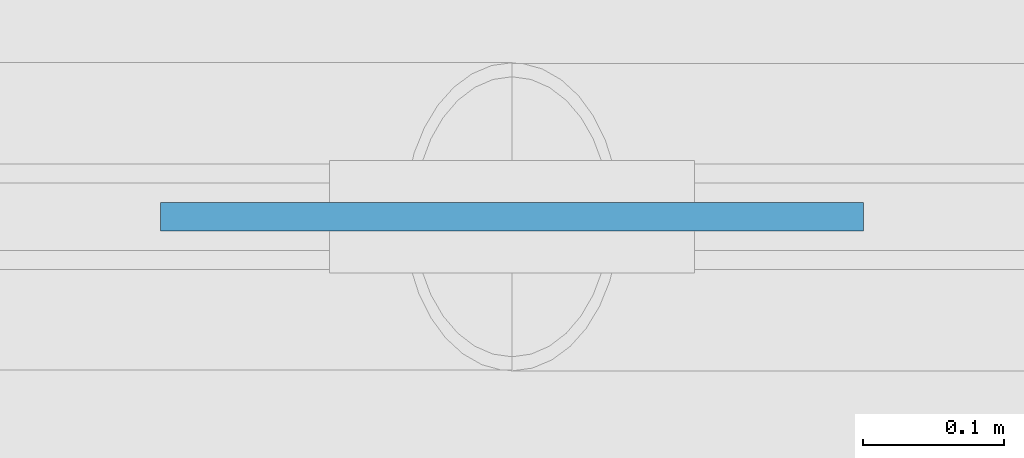
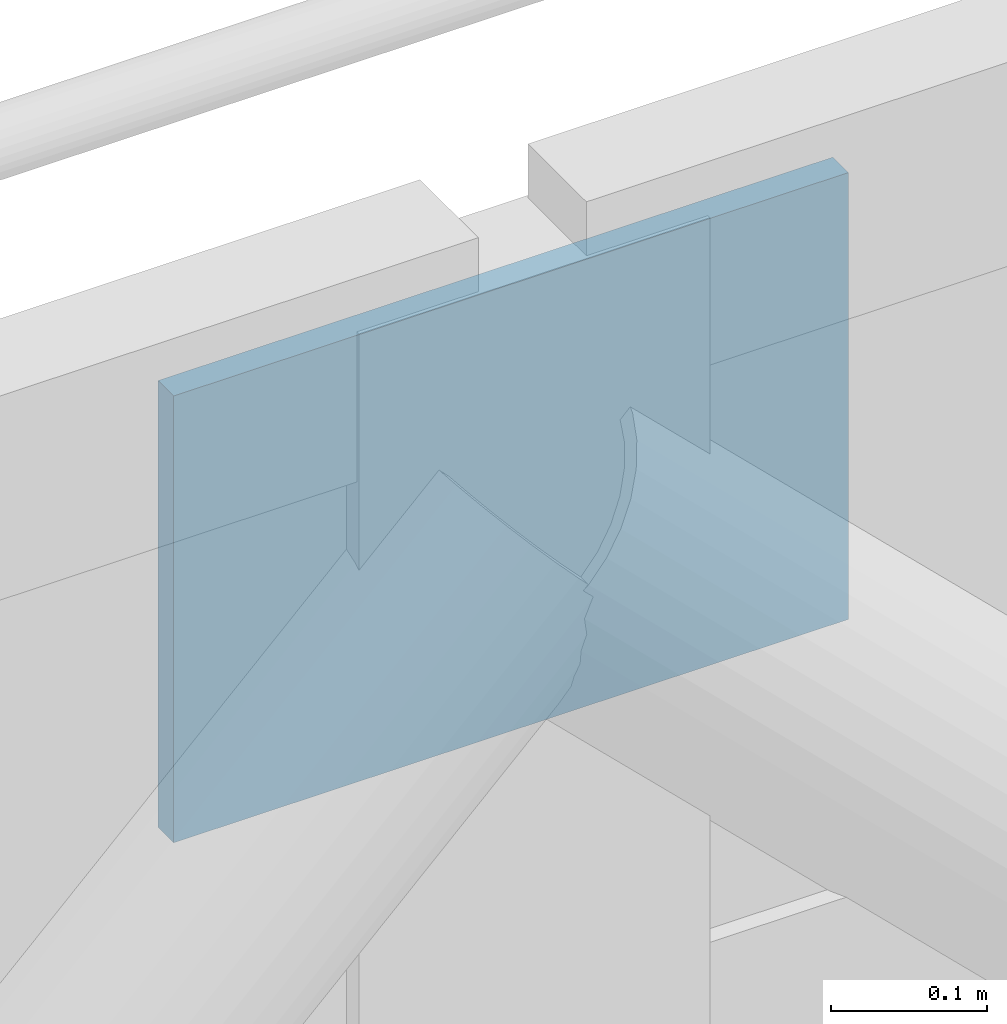
# One storey, part 35 of 62: 1 plate.
"""IFC4 building model written with IfcOpenShell, lengths in metres."""

from ifc_helpers import new_model, si_unit, direction, frame, origin, origin_2d, place, context, subcontext, project, spatial, rectangle, extrude, material, type_object, element, save


model = new_model("IFC4")

# Units and contexts
model_context = context("Model", 3, precision=1e-05, world=origin(), true_north=direction((0.0, 1.0)))
body_context = subcontext(model_context, "Body", "Model", "MODEL_VIEW")
ifc_project = project(units=[si_unit("LENGTHUNIT", "METRE"), si_unit("AREAUNIT", "SQUARE_METRE"), si_unit("VOLUMEUNIT", "CUBIC_METRE"), si_unit("PLANEANGLEUNIT", "RADIAN"), si_unit("MASSUNIT", "GRAM", prefix="KILO")], contexts=[model_context])

# Site, building, storey
site_placement = place(None, origin())
site = spatial("IfcSite", under=ifc_project, at=site_placement, CompositionType="ELEMENT")
building_placement = place(site_placement, origin())
building = spatial("IfcBuilding", under=site, at=building_placement, Name="Valkovuoma Quantum and Materials Research Institute", CompositionType="ELEMENT")
storey_placement = place(building_placement, frame((0.0, 0.0, 8.9599609375)))
storey = spatial("IfcBuildingStorey", under=building, at=storey_placement, Name="L02", CompositionType="ELEMENT", Elevation=8.9599609375)

# Plate
ifc_material = material(Name="Steel S355J2", Category="steel")
plate_type = type_object("IfcPlateType", Name="Plate-PL-SHT1", PredefinedType="SHEET", material=ifc_material)
plate_placement = place(storey_placement, frame((46.800048828125, 36.0, 3.43505859375), z_axis=(0.0, 0.0, 1.0), x_axis=(1.0, 0.0, 0.0)))
element("IfcPlate", 1, at=plate_placement, inside=storey, type_object=plate_type, Name="L02 chevron node sheet plate 03", PredefinedType="SHEET", context=body_context, shape_type="SweptSolid", body=[
    extrude(rectangle(XDim=0.5, YDim=0.02001953125, at=origin_2d()), origin(), (0.0, 0.0, 1.0), 0.35009765625),
])

save(model, "model.ifc")
